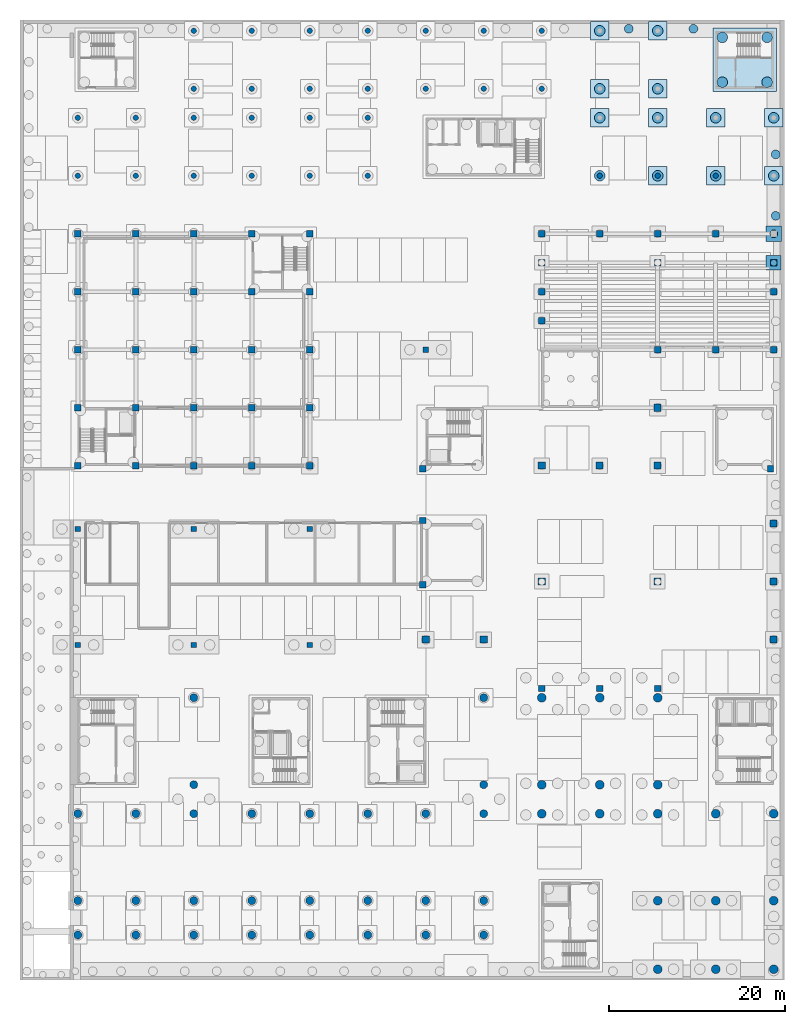
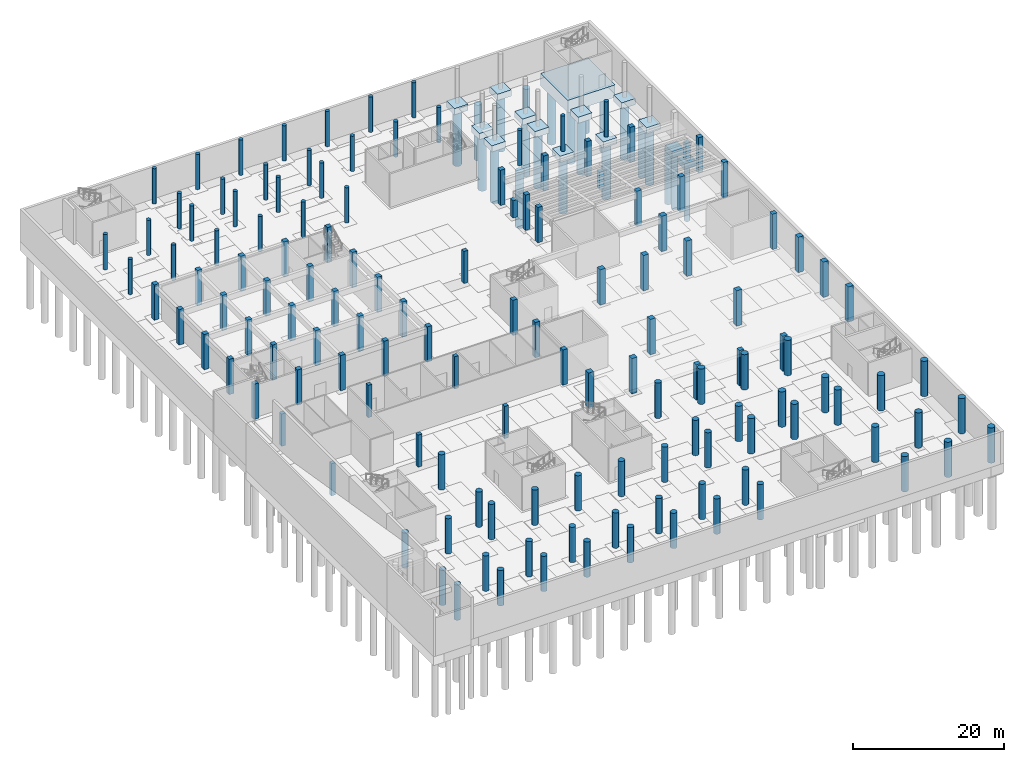
# One storey, part 5 of 38: 137 columns, 22 piles, 14 footings.
"""IFC4 building model written with IfcOpenShell, lengths in metres."""

from ifc_helpers import new_model, si_unit, direction, frame, origin, origin_2d, place, context, subcontext, project, spatial, polyline, rectangle, circle, outline, extrude, material, material_profile, profile_set, type_object, element, save


model = new_model("IFC4")

# Units and contexts
model_context = context("Model", 3, precision=1e-05, world=origin(), true_north=direction((0.0, 1.0)))
body_context = subcontext(model_context, "Body", "Model", "MODEL_VIEW")
ifc_project = project(units=[si_unit("LENGTHUNIT", "METRE"), si_unit("AREAUNIT", "SQUARE_METRE"), si_unit("VOLUMEUNIT", "CUBIC_METRE"), si_unit("PLANEANGLEUNIT", "RADIAN"), si_unit("MASSUNIT", "GRAM", prefix="KILO")], contexts=[model_context])

# Site, building, storey
site_placement = place(None, origin())
site = spatial("IfcSite", under=ifc_project, at=site_placement, CompositionType="ELEMENT")
building_placement = place(site_placement, origin())
building = spatial("IfcBuilding", under=site, at=building_placement, Name="Lantern Court Research Institute", CompositionType="ELEMENT")
storey_placement = place(building_placement, frame((0.0, 0.0, -5.699951171875)))
storey = spatial("IfcBuildingStorey", under=building, at=storey_placement, Name="B1", CompositionType="ELEMENT", Elevation=-5.699951171875)

# Piles
ifc_material_1 = material(Name="Concrete C30/37", Category="concrete")
ifc_material_profile_1 = material_profile(ifc_material_1, circle(Radius=0.5, at=origin_2d()), Name="Bored pile D1000")
ifc_profile_set_1 = profile_set([ifc_material_profile_1], Name="Concrete C30/37")
pile_type_1 = type_object("IfcPileType", Name="Bored pile D1000", PredefinedType="BORED", material=ifc_profile_set_1)
for number, where, z_axis, x_axis, name in (
    (1, (79.429931640625, 77.93798828125, -1.400146484375), (0.0, 0.0, -1.0), (1.0, 0.0, 0.0), "Bored pile P268"),
    (2, (79.429931640625, 84.93603515625, -1.400146484375), (0.0, 0.0, -1.0), (1.0, 0.0, 0.0), "Bored pile P269"),
    (3, (62.700927734375, 99.22998046875, -1.400146484375), (0.0, 0.0, -1.0), (1.0, 0.0, 0.0), "Bored pile P296"),
    (4, (70.06494140625, 99.22998046875, -1.400146484375), (0.0, 0.0, -1.0), (1.0, 0.0, 0.0), "Bored pile P297"),
):
    element("IfcPile", number, at=place(storey_placement, frame(where, z_axis=z_axis, x_axis=x_axis)), inside=storey, type_object=pile_type_1, Name=name, PredefinedType="BORED", context=body_context, shape_type="SweptSolid", body=[
        extrude(circle(Radius=0.5, at=origin_2d()), origin(), (0.0, 0.0, 1.0), 9.0),
    ])
ifc_material_2 = material(Name="Concrete C30/37", Category="concrete")
ifc_material_profile_2 = material_profile(ifc_material_2, circle(Radius=0.60009765625, at=origin_2d()), Name="Bored pile D1200")
ifc_profile_set_2 = profile_set([ifc_material_profile_2], Name="Concrete C30/37")
pile_type_2 = type_object("IfcPileType", Name="Bored pile D1200", PredefinedType="BORED", material=ifc_profile_set_2)
for number, where, z_axis, x_axis, name in (
    (5, (59.39990234375, 82.5, -0.900146484375), (0.0, 0.0, -1.0), (1.0, 0.0, 0.0), "Bored pile P188"),
    (6, (66.0, 82.5, -0.900146484375), (0.0, 0.0, -1.0), (1.0, 0.0, 0.0), "Bored pile P189"),
    (7, (72.60009765625, 82.5, -0.900146484375), (0.0, 0.0, -1.0), (1.0, 0.0, 0.0), "Bored pile P190"),
    (8, (79.199951171875, 82.5, -0.900146484375), (0.0, 0.0, -1.0), (1.0, 0.0, 0.0), "Bored pile P191"),
    (9, (59.39990234375, 89.10009765625, -0.900146484375), (0.0, 0.0, -1.0), (1.0, 0.0, 0.0), "Bored pile P206"),
    (10, (66.0, 89.10009765625, -0.900146484375), (0.0, 0.0, -1.0), (1.0, 0.0, 0.0), "Bored pile P207"),
    (11, (72.60009765625, 89.10009765625, -0.900146484375), (0.0, 0.0, -1.0), (1.0, 0.0, 0.0), "Bored pile P208"),
    (12, (79.199951171875, 89.10009765625, -0.900146484375), (0.0, 0.0, -1.0), (1.0, 0.0, 0.0), "Bored pile P209"),
    (13, (59.39990234375, 92.39990234375, -0.900146484375), (0.0, 0.0, -1.0), (1.0, 0.0, 0.0), "Bored pile P217"),
    (14, (66.0, 92.39990234375, -0.900146484375), (0.0, 0.0, -1.0), (1.0, 0.0, 0.0), "Bored pile P218"),
    (15, (73.35009765625, 93.14990234375, -1.900146484375), (0.0, 0.0, -1.0), (1.0, 0.0, 0.0), "Bored pile P223"),
    (16, (78.449951171875, 93.14990234375, -1.900146484375), (0.0, 0.0, -1.0), (1.0, 0.0, 0.0), "Bored pile P224"),
    (17, (73.35009765625, 98.25, -1.900146484375), (0.0, 0.0, -1.0), (1.0, 0.0, 0.0), "Bored pile P225"),
    (18, (78.449951171875, 98.25, -1.900146484375), (0.0, 0.0, -1.0), (1.0, 0.0, 0.0), "Bored pile P226"),
    (19, (59.39990234375, 99.0, -0.900146484375), (0.0, 0.0, -1.0), (1.0, 0.0, 0.0), "Bored pile P234"),
    (20, (66.0, 99.0, -0.900146484375), (0.0, 0.0, -1.0), (1.0, 0.0, 0.0), "Bored pile P235"),
):
    element("IfcPile", number, at=place(storey_placement, frame(where, z_axis=z_axis, x_axis=x_axis)), inside=storey, type_object=pile_type_2, Name=name, PredefinedType="BORED", context=body_context, shape_type="SweptSolid", body=[
        extrude(circle(Radius=0.60009765625, at=origin_2d()), origin(), (0.0, 0.0, 1.0), 9.0),
    ])
ifc_material_3 = material(Name="Concrete C30/37", Category="concrete")
ifc_material_profile_3 = material_profile(ifc_material_3, circle(Radius=0.375, at=origin_2d()), Name="Bored pile D750")
ifc_profile_set_3 = profile_set([ifc_material_profile_3], Name="Concrete C30/37")
pile_type_3 = type_object("IfcPileType", Name="Bored pile D750", PredefinedType="BORED", material=ifc_profile_set_3)
pile_1_placement = place(storey_placement, frame((79.199951171875, 72.60009765625, -0.900146484375), z_axis=(0.0, 0.0, -1.0), x_axis=(1.0, 0.0, 0.0)))
element("IfcPile", 21, at=pile_1_placement, inside=storey, type_object=pile_type_3, Name="Bored pile P173", PredefinedType="BORED", context=body_context, shape_type="SweptSolid", body=[
    extrude(circle(Radius=0.375, at=origin_2d()), origin(), (0.0, 0.0, 1.0), 9.0),
])
ifc_material_4 = material(Name="Concrete C30/37", Category="concrete")
ifc_material_profile_4 = material_profile(ifc_material_4, circle(Radius=0.449951171875, at=origin_2d()), Name="Bored pile D900")
ifc_profile_set_4 = profile_set([ifc_material_profile_4], Name="Concrete C30/37")
pile_type_4 = type_object("IfcPileType", Name="Bored pile D900", PredefinedType="BORED", material=ifc_profile_set_4)
pile_2_placement = place(storey_placement, frame((79.199951171875, 75.89990234375, -0.900146484375), z_axis=(0.0, 0.0, -1.0), x_axis=(1.0, 0.0, 0.0)))
element("IfcPile", 22, at=pile_2_placement, inside=storey, type_object=pile_type_4, Name="Bored pile P181", PredefinedType="BORED", context=body_context, shape_type="SweptSolid", body=[
    extrude(circle(Radius=0.449951171875, at=origin_2d()), origin(), (0.0, 0.0, 1.0), 9.0),
])

# Footings
ifc_material_5 = material(Name="Concrete C30/37", Category="concrete")
footing_type_1 = type_object("IfcFootingType", Name="Pile cap 1700 x 1700 x 1000", PredefinedType="PILE_CAP", material=ifc_material_5)
footing_1_placement = place(storey_placement, frame((0.0, 0.0, -1.0)))
element("IfcFooting", 23, at=footing_1_placement, inside=storey, type_object=footing_type_1, Name="Pile cap PC90", PredefinedType="PILE_CAP", context=body_context, shape_type="SweptSolid", body=[
    extrude(outline(polyline([(78.35009765625, 71.75), (80.050048828125, 71.75), (80.050048828125, 73.449951171875), (78.35009765625, 73.449951171875), (78.35009765625, 71.75)])), origin(), (0.0, 0.0, 1.0), 1.0),
])
ifc_material_6 = material(Name="Concrete C30/37", Category="concrete")
footing_type_2 = type_object("IfcFootingType", Name="Pile cap 1800 x 1800 x 1000", PredefinedType="PILE_CAP", material=ifc_material_6)
footing_2_placement = place(storey_placement, frame((0.0, 0.0, -1.0)))
element("IfcFooting", 24, at=footing_2_placement, inside=storey, type_object=footing_type_2, Name="Pile cap PC98", PredefinedType="PILE_CAP", context=body_context, shape_type="SweptSolid", body=[
    extrude(outline(polyline([(78.300048828125, 75.0), (80.10009765625, 75.0), (80.10009765625, 76.800048828125), (78.300048828125, 76.800048828125), (78.300048828125, 75.0)])), origin(), (0.0, 0.0, 1.0), 1.0),
])
ifc_material_7 = material(Name="Concrete C30/37", Category="concrete")
footing_type_3 = type_object("IfcFootingType", Name="Pile cap 2100 x 2100 x 1000", PredefinedType="PILE_CAP", material=ifc_material_7)
footing_3_placement = place(storey_placement, frame((0.0, 0.0, -1.0)))
element("IfcFooting", 25, at=footing_3_placement, inside=storey, type_object=footing_type_3, Name="Pile cap PC106", PredefinedType="PILE_CAP", context=body_context, shape_type="SweptSolid", body=[
    extrude(outline(polyline([(64.949951171875, 81.449951171875), (67.050048828125, 81.449951171875), (67.050048828125, 83.550048828125), (64.949951171875, 83.550048828125), (64.949951171875, 81.449951171875)])), origin(), (0.0, 0.0, 1.0), 1.0),
])
footing_4_placement = place(storey_placement, frame((0.0, 0.0, -1.0)))
element("IfcFooting", 26, at=footing_4_placement, inside=storey, type_object=footing_type_3, Name="Pile cap PC107", PredefinedType="PILE_CAP", context=body_context, shape_type="SweptSolid", body=[
    extrude(outline(polyline([(71.550048828125, 81.449951171875), (73.64990234375, 81.449951171875), (73.64990234375, 83.550048828125), (71.550048828125, 83.550048828125), (71.550048828125, 81.449951171875)])), origin(), (0.0, 0.0, 1.0), 1.0),
])
footing_5_placement = place(storey_placement, frame((0.0, 0.0, -1.0)))
element("IfcFooting", 27, at=footing_5_placement, inside=storey, type_object=footing_type_3, Name="Pile cap PC108", PredefinedType="PILE_CAP", context=body_context, shape_type="SweptSolid", body=[
    extrude(outline(polyline([(78.14990234375, 81.449951171875), (80.25, 81.449951171875), (80.25, 83.550048828125), (78.14990234375, 83.550048828125), (78.14990234375, 81.449951171875)])), origin(), (0.0, 0.0, 1.0), 1.0),
])
footing_6_placement = place(storey_placement, frame((0.0, 0.0, -1.0)))
element("IfcFooting", 28, at=footing_6_placement, inside=storey, type_object=footing_type_3, Name="Pile cap PC116", PredefinedType="PILE_CAP", context=body_context, shape_type="SweptSolid", body=[
    extrude(outline(polyline([(58.35009765625, 88.050048828125), (60.449951171875, 88.050048828125), (60.449951171875, 90.14990234375), (58.35009765625, 90.14990234375), (58.35009765625, 88.050048828125)])), origin(), (0.0, 0.0, 1.0), 1.0),
])
footing_7_placement = place(storey_placement, frame((0.0, 0.0, -1.0)))
element("IfcFooting", 29, at=footing_7_placement, inside=storey, type_object=footing_type_3, Name="Pile cap PC117", PredefinedType="PILE_CAP", context=body_context, shape_type="SweptSolid", body=[
    extrude(outline(polyline([(64.949951171875, 88.050048828125), (67.050048828125, 88.050048828125), (67.050048828125, 90.14990234375), (64.949951171875, 90.14990234375), (64.949951171875, 88.050048828125)])), origin(), (0.0, 0.0, 1.0), 1.0),
])
footing_8_placement = place(storey_placement, frame((0.0, 0.0, -1.0)))
element("IfcFooting", 30, at=footing_8_placement, inside=storey, type_object=footing_type_3, Name="Pile cap PC118", PredefinedType="PILE_CAP", context=body_context, shape_type="SweptSolid", body=[
    extrude(outline(polyline([(71.550048828125, 88.050048828125), (73.64990234375, 88.050048828125), (73.64990234375, 90.14990234375), (71.550048828125, 90.14990234375), (71.550048828125, 88.050048828125)])), origin(), (0.0, 0.0, 1.0), 1.0),
])
footing_9_placement = place(storey_placement, frame((0.0, 0.0, -1.0)))
element("IfcFooting", 31, at=footing_9_placement, inside=storey, type_object=footing_type_3, Name="Pile cap PC119", PredefinedType="PILE_CAP", context=body_context, shape_type="SweptSolid", body=[
    extrude(outline(polyline([(78.14990234375, 88.050048828125), (80.25, 88.050048828125), (80.25, 90.14990234375), (78.14990234375, 90.14990234375), (78.14990234375, 88.050048828125)])), origin(), (0.0, 0.0, 1.0), 1.0),
])
footing_10_placement = place(storey_placement, frame((0.0, 0.0, -1.0)))
element("IfcFooting", 32, at=footing_10_placement, inside=storey, type_object=footing_type_3, Name="Pile cap PC127", PredefinedType="PILE_CAP", context=body_context, shape_type="SweptSolid", body=[
    extrude(outline(polyline([(58.35009765625, 91.35009765625), (60.449951171875, 91.35009765625), (60.449951171875, 93.449951171875), (58.35009765625, 93.449951171875), (58.35009765625, 91.35009765625)])), origin(), (0.0, 0.0, 1.0), 1.0),
])
footing_11_placement = place(storey_placement, frame((0.0, 0.0, -1.0)))
element("IfcFooting", 33, at=footing_11_placement, inside=storey, type_object=footing_type_3, Name="Pile cap PC128", PredefinedType="PILE_CAP", context=body_context, shape_type="SweptSolid", body=[
    extrude(outline(polyline([(64.949951171875, 91.35009765625), (67.050048828125, 91.35009765625), (67.050048828125, 93.449951171875), (64.949951171875, 93.449951171875), (64.949951171875, 91.35009765625)])), origin(), (0.0, 0.0, 1.0), 1.0),
])
footing_12_placement = place(storey_placement, frame((0.0, 0.0, -1.0)))
element("IfcFooting", 34, at=footing_12_placement, inside=storey, type_object=footing_type_3, Name="Pile cap PC138", PredefinedType="PILE_CAP", context=body_context, shape_type="SweptSolid", body=[
    extrude(outline(polyline([(58.35009765625, 97.949951171875), (60.449951171875, 97.949951171875), (60.449951171875, 100.050048828125), (58.35009765625, 100.050048828125), (58.35009765625, 97.949951171875)])), origin(), (0.0, 0.0, 1.0), 1.0),
])
footing_13_placement = place(storey_placement, frame((0.0, 0.0, -1.0)))
element("IfcFooting", 35, at=footing_13_placement, inside=storey, type_object=footing_type_3, Name="Pile cap PC139", PredefinedType="PILE_CAP", context=body_context, shape_type="SweptSolid", body=[
    extrude(outline(polyline([(64.949951171875, 97.949951171875), (67.050048828125, 97.949951171875), (67.050048828125, 100.050048828125), (64.949951171875, 100.050048828125), (64.949951171875, 97.949951171875)])), origin(), (0.0, 0.0, 1.0), 1.0),
])
ifc_material_8 = material(Name="Concrete C30/37", Category="concrete")
footing_type_4 = type_object("IfcFootingType", Name="Pile cap 7200 x 7200 x 2000", PredefinedType="PILE_CAP", material=ifc_material_8)
footing_14_placement = place(storey_placement, frame((0.0, 0.0, -2.0)))
element("IfcFooting", 36, at=footing_14_placement, inside=storey, type_object=footing_type_4, Name="Pile cap PC130", PredefinedType="PILE_CAP", context=body_context, shape_type="SweptSolid", body=[
    extrude(outline(polyline([(72.300048828125, 92.10009765625), (79.5, 92.10009765625), (79.5, 99.300048828125), (72.300048828125, 99.300048828125), (72.300048828125, 92.10009765625)])), origin(), (0.0, 0.0, 1.0), 2.0),
])

# Columns
ifc_material_9 = material(Name="Concrete C40/50", Category="concrete")
ifc_material_profile_5 = material_profile(ifc_material_9, rectangle(XDim=0.60009765625, YDim=0.60009765625, at=origin_2d()), Name="Basement column 600 x 600")
ifc_profile_set_5 = profile_set([ifc_material_profile_5], Name="Concrete C40/50")
column_type_1 = type_object("IfcColumnType", Name="Basement column 600 x 600", PredefinedType="COLUMN", material=ifc_profile_set_5)
for number, where, z_axis, x_axis, name in (
    (37, (0.0, 29.10009765625, 0.0), (0.0, 0.0, 1.0), (1.0, 0.0, 0.0), "Basement column 1"),
    (38, (0.0, 42.300048828125, 0.0), (0.0, 0.0, 1.0), (1.0, 0.0, 0.0), "Basement column 2"),
    (39, (13.199951171875, 29.10009765625, 0.0), (0.0, 0.0, 1.0), (1.0, 0.0, 0.0), "Basement column 3"),
    (40, (13.199951171875, 42.300048828125, 0.0), (0.0, 0.0, 1.0), (1.0, 0.0, 0.0), "Basement column 4"),
    (41, (26.39990234375, 29.10009765625, 0.0), (0.0, 0.0, 1.0), (1.0, 0.0, 0.0), "Basement column 5"),
    (42, (26.39990234375, 42.300048828125, 0.0), (0.0, 0.0, 1.0), (1.0, 0.0, 0.0), "Basement column 6"),
    (43, (39.60009765625, 62.699951171875, 0.0), (0.0, 0.0, 1.0), (1.0, 0.0, 0.0), "Basement column 7"),
):
    element("IfcColumn", number, at=place(storey_placement, frame(where, z_axis=z_axis, x_axis=x_axis)), inside=storey, type_object=column_type_1, Name=name, PredefinedType="COLUMN", context=body_context, shape_type="SweptSolid", body=[
        extrude(rectangle(XDim=0.60009765625, YDim=0.60009765625, at=origin_2d()), origin(), (0.0, 0.0, 1.0), 5.199951171875),
    ])
ifc_material_10 = material(Name="Concrete C40/50", Category="concrete")
ifc_material_profile_6 = material_profile(ifc_material_10, rectangle(XDim=0.699951171875, YDim=0.699951171875, at=origin_2d()), Name="Clean room column 700 x 700")
ifc_profile_set_6 = profile_set([ifc_material_profile_6], Name="Concrete C40/50")
column_type_2 = type_object("IfcColumnType", Name="Clean room column 700 x 700", PredefinedType="COLUMN", material=ifc_profile_set_6)
for number, where, z_axis, x_axis, name in (
    (44, (0.0, 49.5, 0.0), (0.0, 0.0, 1.0), (1.0, 0.0, 0.0), "Clean room column"),
    (45, (0.0, 56.10009765625, 0.0), (0.0, 0.0, 1.0), (1.0, 0.0, 0.0), "Clean room column"),
    (46, (0.0, 62.699951171875, 0.0), (0.0, 0.0, 1.0), (1.0, 0.0, 0.0), "Clean room column"),
    (47, (0.0, 69.300048828125, 0.0), (0.0, 0.0, 1.0), (1.0, 0.0, 0.0), "Clean room column"),
    (48, (0.0, 75.89990234375, 0.0), (0.0, 0.0, 1.0), (1.0, 0.0, 0.0), "Clean room column"),
    (49, (6.60009765625, 49.5, 0.0), (0.0, 0.0, 1.0), (1.0, 0.0, 0.0), "Clean room column"),
    (50, (6.60009765625, 56.10009765625, 0.0), (0.0, 0.0, 1.0), (1.0, 0.0, 0.0), "Clean room column"),
    (51, (6.60009765625, 62.699951171875, 0.0), (0.0, 0.0, 1.0), (1.0, 0.0, 0.0), "Clean room column"),
    (52, (6.60009765625, 69.300048828125, 0.0), (0.0, 0.0, 1.0), (1.0, 0.0, 0.0), "Clean room column"),
    (53, (6.60009765625, 75.89990234375, 0.0), (0.0, 0.0, 1.0), (1.0, 0.0, 0.0), "Clean room column"),
    (54, (13.199951171875, 49.5, 0.0), (0.0, 0.0, 1.0), (1.0, 0.0, 0.0), "Clean room column"),
    (55, (13.199951171875, 56.10009765625, 0.0), (0.0, 0.0, 1.0), (1.0, 0.0, 0.0), "Clean room column"),
    (56, (13.199951171875, 62.699951171875, 0.0), (0.0, 0.0, 1.0), (1.0, 0.0, 0.0), "Clean room column"),
    (57, (13.199951171875, 69.300048828125, 0.0), (0.0, 0.0, 1.0), (1.0, 0.0, 0.0), "Clean room column"),
    (58, (13.199951171875, 75.89990234375, 0.0), (0.0, 0.0, 1.0), (1.0, 0.0, 0.0), "Clean room column"),
    (59, (19.800048828125, 49.5, 0.0), (0.0, 0.0, 1.0), (1.0, 0.0, 0.0), "Clean room column"),
    (60, (19.800048828125, 56.10009765625, 0.0), (0.0, 0.0, 1.0), (1.0, 0.0, 0.0), "Clean room column"),
    (61, (19.800048828125, 62.699951171875, 0.0), (0.0, 0.0, 1.0), (1.0, 0.0, 0.0), "Clean room column"),
    (62, (19.800048828125, 69.300048828125, 0.0), (0.0, 0.0, 1.0), (1.0, 0.0, 0.0), "Clean room column"),
    (63, (19.800048828125, 75.89990234375, 0.0), (0.0, 0.0, 1.0), (1.0, 0.0, 0.0), "Clean room column"),
    (64, (26.39990234375, 49.5, 0.0), (0.0, 0.0, 1.0), (1.0, 0.0, 0.0), "Clean room column"),
    (65, (26.39990234375, 56.10009765625, 0.0), (0.0, 0.0, 1.0), (1.0, 0.0, 0.0), "Clean room column"),
    (66, (26.39990234375, 62.699951171875, 0.0), (0.0, 0.0, 1.0), (1.0, 0.0, 0.0), "Clean room column"),
    (67, (26.39990234375, 69.300048828125, 0.0), (0.0, 0.0, 1.0), (1.0, 0.0, 0.0), "Clean room column"),
    (68, (26.39990234375, 75.89990234375, 0.0), (0.0, 0.0, 1.0), (1.0, 0.0, 0.0), "Clean room column"),
):
    element("IfcColumn", number, at=place(storey_placement, frame(where, z_axis=z_axis, x_axis=x_axis)), inside=storey, type_object=column_type_2, Name=name, PredefinedType="COLUMN", context=body_context, shape_type="SweptSolid", body=[
        extrude(rectangle(XDim=0.699951171875, YDim=0.699951171875, at=origin_2d()), origin(), (0.0, 0.0, 1.0), 5.699951171875),
    ])
ifc_material_11 = material(Name="Concrete C40/50", Category="concrete")
ifc_material_profile_7 = material_profile(ifc_material_11, rectangle(XDim=0.699951171875, YDim=0.699951171875, at=origin_2d()), Name="Hall column 700 x 700")
ifc_profile_set_7 = profile_set([ifc_material_profile_7], Name="Concrete C40/50")
column_type_3 = type_object("IfcColumnType", Name="Hall column 700 x 700", PredefinedType="COLUMN", material=ifc_profile_set_7)
for number, where, z_axis, x_axis, name in (
    (69, (52.800048828125, 24.14990234375, 0.0), (0.0, 0.0, 1.0), (1.0, 0.0, 0.0), "Hall column"),
    (70, (59.39990234375, 24.14990234375, 0.0), (0.0, 0.0, 1.0), (1.0, 0.0, 0.0), "Hall column"),
    (71, (66.0, 24.14990234375, 0.0), (0.0, 0.0, 1.0), (1.0, 0.0, 0.0), "Hall column"),
    (72, (39.25, 35.949951171875, 0.0), (0.0, 0.0, 1.0), (1.0, 0.0, 0.0), "Hall column"),
    (73, (39.25, 43.25, 0.0), (0.0, 0.0, 1.0), (1.0, 0.0, 0.0), "Hall column"),
    (74, (39.25, 49.14990234375, 0.0), (0.0, 0.0, 1.0), (1.0, 0.0, 0.0), "Hall column"),
    (75, (78.85009765625, 49.14990234375, 0.0), (0.0, 0.0, 1.0), (1.0, 0.0, 0.0), "Hall column"),
    (76, (52.800048828125, 69.300048828125, 0.0), (0.0, 0.0, 1.0), (1.0, 0.0, 0.0), "Hall column"),
    (77, (52.800048828125, 75.89990234375, 0.0), (0.0, 0.0, 1.0), (1.0, 0.0, 0.0), "Hall column"),
    (78, (79.199951171875, 62.699951171875, 0.0), (0.0, 0.0, 1.0), (1.0, 0.0, 0.0), "Hall column"),
    (79, (79.199951171875, 69.300048828125, 0.0), (0.0, 0.0, 1.0), (1.0, 0.0, 0.0), "Hall column"),
    (80, (59.39990234375, 75.89990234375, 0.0), (0.0, 0.0, 1.0), (1.0, 0.0, 0.0), "Hall column"),
    (81, (66.0, 75.89990234375, 0.0), (0.0, 0.0, 1.0), (1.0, 0.0, 0.0), "Hall column"),
    (82, (72.60009765625, 75.89990234375, 0.0), (0.0, 0.0, 1.0), (1.0, 0.0, 0.0), "Hall column"),
    (83, (66.0, 62.699951171875, 0.0), (0.0, 0.0, 1.0), (1.0, 0.0, 0.0), "Hall column"),
    (84, (72.60009765625, 62.699951171875, 0.0), (0.0, 0.0, 1.0), (1.0, 0.0, 0.0), "Hall column"),
    (85, (52.800048828125, 66.0, 0.0), (0.0, 0.0, 1.0), (1.0, 0.0, 0.0), "Hall column"),
):
    element("IfcColumn", number, at=place(storey_placement, frame(where, z_axis=z_axis, x_axis=x_axis)), inside=storey, type_object=column_type_3, Name=name, PredefinedType="COLUMN", context=body_context, shape_type="SweptSolid", body=[
        extrude(rectangle(XDim=0.699951171875, YDim=0.699951171875, at=origin_2d()), origin(), (0.0, 0.0, 1.0), 5.699951171875),
    ])
for number, where, z_axis, x_axis, name in (
    (86, (52.800048828125, 72.60009765625, 0.0), (0.0, 0.0, 1.0), (1.0, 0.0, 0.0), "Hall column"),
    (87, (66.0, 72.60009765625, 0.0), (0.0, 0.0, 1.0), (1.0, 0.0, 0.0), "Hall column"),
    (88, (79.199951171875, 72.60009765625, 0.0), (0.0, 0.0, 1.0), (1.0, 0.0, 0.0), "Hall column"),
):
    element("IfcColumn", number, at=place(storey_placement, frame(where, z_axis=z_axis, x_axis=x_axis)), inside=storey, type_object=column_type_3, Name=name, PredefinedType="COLUMN", context=body_context, shape_type="SweptSolid", body=[
        extrude(rectangle(XDim=0.699951171875, YDim=0.699951171875, at=origin_2d()), origin(), (0.0, 0.0, 1.0), 2.7900390625),
    ])
ifc_material_12 = material(Name="Concrete C40/50", Category="concrete")
ifc_material_profile_8 = material_profile(ifc_material_12, rectangle(XDim=0.800048828125, YDim=0.800048828125, at=origin_2d()), Name="Hall column 800 x 800")
ifc_profile_set_8 = profile_set([ifc_material_profile_8], Name="Concrete C40/50")
column_type_4 = type_object("IfcColumnType", Name="Hall column 800 x 800", PredefinedType="COLUMN", material=ifc_profile_set_8)
for number, where, z_axis, x_axis, name in (
    (89, (39.60009765625, 29.699951171875, 0.0), (0.0, 0.0, 1.0), (1.0, 0.0, 0.0), "Hall column"),
    (90, (79.199951171875, 29.699951171875, 0.0), (0.0, 0.0, 1.0), (1.0, 0.0, 0.0), "Hall column"),
    (91, (79.199951171875, 36.300048828125, 0.0), (0.0, 0.0, 1.0), (1.0, 0.0, 0.0), "Hall column"),
    (92, (79.199951171875, 42.89990234375, 0.0), (0.0, 0.0, 1.0), (1.0, 0.0, 0.0), "Hall column"),
    (93, (66.0, 56.10009765625, 0.0), (0.0, 0.0, 1.0), (1.0, 0.0, 0.0), "Hall column"),
    (94, (46.199951171875, 29.699951171875, 0.0), (0.0, 0.0, 1.0), (1.0, 0.0, 0.0), "Hall column"),
    (95, (52.800048828125, 49.5, 0.0), (0.0, 0.0, 1.0), (1.0, 0.0, 0.0), "Hall column"),
    (96, (59.39990234375, 49.5, 0.0), (0.0, 0.0, 1.0), (1.0, 0.0, 0.0), "Hall column"),
    (97, (66.0, 49.5, 0.0), (0.0, 0.0, 1.0), (1.0, 0.0, 0.0), "Hall column"),
    (98, (52.800048828125, 36.300048828125, 0.0), (0.0, 0.0, 1.0), (1.0, 0.0, 0.0), "Hall column"),
    (99, (66.0, 36.300048828125, 0.0), (0.0, 0.0, 1.0), (1.0, 0.0, 0.0), "Hall column"),
):
    element("IfcColumn", number, at=place(storey_placement, frame(where, z_axis=z_axis, x_axis=x_axis)), inside=storey, type_object=column_type_4, Name=name, PredefinedType="COLUMN", context=body_context, shape_type="SweptSolid", body=[
        extrude(rectangle(XDim=0.800048828125, YDim=0.800048828125, at=origin_2d()), origin(), (0.0, 0.0, 1.0), 5.699951171875),
    ])
ifc_material_13 = material(Name="Concrete C40/50", Category="concrete")
ifc_material_profile_9 = material_profile(ifc_material_13, circle(Radius=0.5, at=origin_2d()), Name="RC round column 1000")
ifc_profile_set_9 = profile_set([ifc_material_profile_9], Name="Concrete C40/50")
column_type_5 = type_object("IfcColumnType", Name="RC round column 1000", PredefinedType="COLUMN", material=ifc_profile_set_9)
for number, where, z_axis, x_axis, name in (
    (100, (52.800048828125, 9.89990234375, 0.0), (0.0, 0.0, 1.0), (1.0, 0.0, 0.0), "Column B1 grid 9/B"),
    (101, (52.800048828125, 13.199951171875, 0.0), (0.0, 0.0, 1.0), (1.0, 0.0, 0.0), "Column B1 grid 9/C"),
    (102, (52.800048828125, 23.10009765625, 0.0), (0.0, 0.0, 1.0), (1.0, 0.0, 0.0), "Column B1 grid 9/D"),
    (103, (59.39990234375, 9.89990234375, 0.0), (0.0, 0.0, 1.0), (1.0, 0.0, 0.0), "Column B1 grid 10/B"),
    (104, (59.39990234375, 13.199951171875, 0.0), (0.0, 0.0, 1.0), (1.0, 0.0, 0.0), "Column B1 grid 10/C"),
    (105, (59.39990234375, 23.10009765625, 0.0), (0.0, 0.0, 1.0), (1.0, 0.0, 0.0), "Column B1 grid 10/D"),
    (106, (66.0, -7.800048828125, 0.0), (0.0, 0.0, 1.0), (1.0, 0.0, 0.0), "Column B1 grid 11/Z"),
    (107, (66.0, 0.0, 0.0), (0.0, 0.0, 1.0), (1.0, 0.0, 0.0), "Column B1 grid 11/A"),
    (108, (66.0, 9.89990234375, 0.0), (0.0, 0.0, 1.0), (1.0, 0.0, 0.0), "Column B1 grid 11/B"),
    (109, (66.0, 13.199951171875, 0.0), (0.0, 0.0, 1.0), (1.0, 0.0, 0.0), "Column B1 grid 11/C"),
    (110, (66.0, 23.10009765625, 0.0), (0.0, 0.0, 1.0), (1.0, 0.0, 0.0), "Column B1 grid 11/D"),
    (111, (72.60009765625, -7.800048828125, 0.0), (0.0, 0.0, 1.0), (1.0, 0.0, 0.0), "Column B1 grid 12/Z"),
    (112, (72.60009765625, 0.0, 0.0), (0.0, 0.0, 1.0), (1.0, 0.0, 0.0), "Column B1 grid 12/A"),
    (113, (72.60009765625, 9.89990234375, 0.0), (0.0, 0.0, 1.0), (1.0, 0.0, 0.0), "Column B1 grid 12/B"),
    (114, (79.199951171875, -7.800048828125, 0.0), (0.0, 0.0, 1.0), (1.0, 0.0, 0.0), "Column B1 grid 13/Z"),
    (115, (79.199951171875, 0.0, 0.0), (0.0, 0.0, 1.0), (1.0, 0.0, 0.0), "Column B1 grid 13/A"),
    (116, (79.199951171875, 9.89990234375, 0.0), (0.0, 0.0, 1.0), (1.0, 0.0, 0.0), "Column B1 grid 13/B"),
):
    element("IfcColumn", number, at=place(storey_placement, frame(where, z_axis=z_axis, x_axis=x_axis)), inside=storey, type_object=column_type_5, Name=name, PredefinedType="COLUMN", context=body_context, shape_type="SweptSolid", body=[
        extrude(circle(Radius=0.5, at=origin_2d()), origin(), (0.0, 0.0, 1.0), 5.699951171875),
    ])
ifc_material_14 = material(Name="Concrete C40/50", Category="concrete")
ifc_material_profile_10 = material_profile(ifc_material_14, circle(Radius=0.300048828125, at=origin_2d()), Name="RC round column 600")
ifc_profile_set_10 = profile_set([ifc_material_profile_10], Name="Concrete C40/50")
column_type_6 = type_object("IfcColumnType", Name="RC round column 600", PredefinedType="COLUMN", material=ifc_profile_set_10)
for number, where, z_axis, x_axis, name in (
    (117, (0.0, 82.5, 0.0), (0.0, 0.0, 1.0), (1.0, 0.0, 0.0), "Column B1 grid 1/J"),
    (118, (0.0, 89.10009765625, 0.0), (0.0, 0.0, 1.0), (1.0, 0.0, 0.0), "Column B1 grid 1/K"),
    (119, (6.60009765625, 82.5, 0.0), (0.0, 0.0, 1.0), (1.0, 0.0, 0.0), "Column B1 grid 2/J"),
    (120, (6.60009765625, 89.10009765625, 0.0), (0.0, 0.0, 1.0), (1.0, 0.0, 0.0), "Column B1 grid 2/K"),
    (121, (13.199951171875, 82.5, 0.0), (0.0, 0.0, 1.0), (1.0, 0.0, 0.0), "Column B1 grid 3/J"),
    (122, (13.199951171875, 89.10009765625, 0.0), (0.0, 0.0, 1.0), (1.0, 0.0, 0.0), "Column B1 grid 3/K"),
    (123, (13.199951171875, 92.39990234375, 0.0), (0.0, 0.0, 1.0), (1.0, 0.0, 0.0), "Column B1 grid 3/L"),
    (124, (13.199951171875, 99.0, 0.0), (0.0, 0.0, 1.0), (1.0, 0.0, 0.0), "Column B1 grid 3/M"),
    (125, (19.800048828125, 82.5, 0.0), (0.0, 0.0, 1.0), (1.0, 0.0, 0.0), "Column B1 grid 4/J"),
    (126, (19.800048828125, 89.10009765625, 0.0), (0.0, 0.0, 1.0), (1.0, 0.0, 0.0), "Column B1 grid 4/K"),
    (127, (19.800048828125, 92.39990234375, 0.0), (0.0, 0.0, 1.0), (1.0, 0.0, 0.0), "Column B1 grid 4/L"),
    (128, (19.800048828125, 99.0, 0.0), (0.0, 0.0, 1.0), (1.0, 0.0, 0.0), "Column B1 grid 4/M"),
    (129, (26.39990234375, 82.5, 0.0), (0.0, 0.0, 1.0), (1.0, 0.0, 0.0), "Column B1 grid 5/J"),
    (130, (26.39990234375, 89.10009765625, 0.0), (0.0, 0.0, 1.0), (1.0, 0.0, 0.0), "Column B1 grid 5/K"),
    (131, (26.39990234375, 92.39990234375, 0.0), (0.0, 0.0, 1.0), (1.0, 0.0, 0.0), "Column B1 grid 5/L"),
    (132, (26.39990234375, 99.0, 0.0), (0.0, 0.0, 1.0), (1.0, 0.0, 0.0), "Column B1 grid 5/M"),
    (133, (33.0, 82.5, 0.0), (0.0, 0.0, 1.0), (1.0, 0.0, 0.0), "Column B1 grid 6/J"),
    (134, (33.0, 89.10009765625, 0.0), (0.0, 0.0, 1.0), (1.0, 0.0, 0.0), "Column B1 grid 6/K"),
    (135, (33.0, 92.39990234375, 0.0), (0.0, 0.0, 1.0), (1.0, 0.0, 0.0), "Column B1 grid 6/L"),
    (136, (33.0, 99.0, 0.0), (0.0, 0.0, 1.0), (1.0, 0.0, 0.0), "Column B1 grid 6/M"),
    (137, (39.60009765625, 92.39990234375, 0.0), (0.0, 0.0, 1.0), (1.0, 0.0, 0.0), "Column B1 grid 7/L"),
    (138, (39.60009765625, 99.0, 0.0), (0.0, 0.0, 1.0), (1.0, 0.0, 0.0), "Column B1 grid 7/M"),
    (139, (46.199951171875, 92.39990234375, 0.0), (0.0, 0.0, 1.0), (1.0, 0.0, 0.0), "Column B1 grid 8/L"),
    (140, (46.199951171875, 99.0, 0.0), (0.0, 0.0, 1.0), (1.0, 0.0, 0.0), "Column B1 grid 8/M"),
    (141, (52.800048828125, 92.39990234375, 0.0), (0.0, 0.0, 1.0), (1.0, 0.0, 0.0), "Column B1 grid 9/L"),
    (142, (52.800048828125, 99.0, 0.0), (0.0, 0.0, 1.0), (1.0, 0.0, 0.0), "Column B1 grid 9/M"),
    (143, (59.39990234375, 82.5, 0.0), (0.0, 0.0, 1.0), (1.0, 0.0, 0.0), "Column B1 grid 10/J"),
    (144, (66.0, 82.5, 0.0), (0.0, 0.0, 1.0), (1.0, 0.0, 0.0), "Column B1 grid 11/J"),
    (145, (72.60009765625, 82.5, 0.0), (0.0, 0.0, 1.0), (1.0, 0.0, 0.0), "Column B1 grid 12/J"),
):
    element("IfcColumn", number, at=place(storey_placement, frame(where, z_axis=z_axis, x_axis=x_axis)), inside=storey, type_object=column_type_6, Name=name, PredefinedType="COLUMN", context=body_context, shape_type="SweptSolid", body=[
        extrude(circle(Radius=0.300048828125, at=origin_2d()), origin(), (0.0, 0.0, 1.0), 5.699951171875),
    ])
ifc_material_15 = material(Name="Concrete C40/50", Category="concrete")
ifc_material_profile_11 = material_profile(ifc_material_15, circle(Radius=0.449951171875, at=origin_2d()), Name="RC round column 900")
ifc_profile_set_11 = profile_set([ifc_material_profile_11], Name="Concrete C40/50")
column_type_7 = type_object("IfcColumnType", Name="RC round column 900", PredefinedType="COLUMN", material=ifc_profile_set_11)
for number, where, z_axis, x_axis, name in (
    (146, (0.0, 0.0, 0.0), (0.0, 0.0, 1.0), (1.0, 0.0, 0.0), "Column B1 grid 1/A"),
    (147, (0.0, 9.89990234375, 0.0), (0.0, 0.0, 1.0), (1.0, 0.0, 0.0), "Column B1 grid 1/B"),
    (148, (6.60009765625, 0.0, 0.0), (0.0, 0.0, 1.0), (1.0, 0.0, 0.0), "Column B1 grid 2/A"),
    (149, (6.60009765625, 9.89990234375, 0.0), (0.0, 0.0, 1.0), (1.0, 0.0, 0.0), "Column B1 grid 2/B"),
    (150, (13.199951171875, 0.0, 0.0), (0.0, 0.0, 1.0), (1.0, 0.0, 0.0), "Column B1 grid 3/A"),
    (151, (13.199951171875, 9.89990234375, 0.0), (0.0, 0.0, 1.0), (1.0, 0.0, 0.0), "Column B1 grid 3/B"),
    (152, (13.199951171875, 13.199951171875, 0.0), (0.0, 0.0, 1.0), (1.0, 0.0, 0.0), "Column B1 grid 3/C"),
    (153, (13.199951171875, 23.10009765625, 0.0), (0.0, 0.0, 1.0), (1.0, 0.0, 0.0), "Column B1 grid 3/D"),
    (154, (19.800048828125, 0.0, 0.0), (0.0, 0.0, 1.0), (1.0, 0.0, 0.0), "Column B1 grid 4/A"),
    (155, (19.800048828125, 9.89990234375, 0.0), (0.0, 0.0, 1.0), (1.0, 0.0, 0.0), "Column B1 grid 4/B"),
    (156, (26.39990234375, 0.0, 0.0), (0.0, 0.0, 1.0), (1.0, 0.0, 0.0), "Column B1 grid 5/A"),
    (157, (26.39990234375, 9.89990234375, 0.0), (0.0, 0.0, 1.0), (1.0, 0.0, 0.0), "Column B1 grid 5/B"),
    (158, (33.0, 0.0, 0.0), (0.0, 0.0, 1.0), (1.0, 0.0, 0.0), "Column B1 grid 6/A"),
    (159, (33.0, 9.89990234375, 0.0), (0.0, 0.0, 1.0), (1.0, 0.0, 0.0), "Column B1 grid 6/B"),
    (160, (39.60009765625, 0.0, 0.0), (0.0, 0.0, 1.0), (1.0, 0.0, 0.0), "Column B1 grid 7/A"),
    (161, (39.60009765625, 9.89990234375, 0.0), (0.0, 0.0, 1.0), (1.0, 0.0, 0.0), "Column B1 grid 7/B"),
    (162, (46.199951171875, 0.0, 0.0), (0.0, 0.0, 1.0), (1.0, 0.0, 0.0), "Column B1 grid 8/A"),
    (163, (46.199951171875, 9.89990234375, 0.0), (0.0, 0.0, 1.0), (1.0, 0.0, 0.0), "Column B1 grid 8/B"),
    (164, (46.199951171875, 13.199951171875, 0.0), (0.0, 0.0, 1.0), (1.0, 0.0, 0.0), "Column B1 grid 8/C"),
    (165, (46.199951171875, 23.10009765625, 0.0), (0.0, 0.0, 1.0), (1.0, 0.0, 0.0), "Column B1 grid 8/D"),
    (166, (0.0, -3.89990234375, 0.0), (0.0, 0.0, 1.0), (1.0, 0.0, 0.0), "Column B1 grid 1/Y"),
    (167, (6.60009765625, -3.89990234375, 0.0), (0.0, 0.0, 1.0), (1.0, 0.0, 0.0), "Column B1 grid 2/Y"),
    (168, (13.199951171875, -3.89990234375, 0.0), (0.0, 0.0, 1.0), (1.0, 0.0, 0.0), "Column B1 grid 3/Y"),
    (169, (19.800048828125, -3.89990234375, 0.0), (0.0, 0.0, 1.0), (1.0, 0.0, 0.0), "Column B1 grid 4/Y"),
    (170, (26.39990234375, -3.89990234375, 0.0), (0.0, 0.0, 1.0), (1.0, 0.0, 0.0), "Column B1 grid 5/Y"),
    (171, (33.0, -3.89990234375, 0.0), (0.0, 0.0, 1.0), (1.0, 0.0, 0.0), "Column B1 grid 6/Y"),
    (172, (39.60009765625, -3.89990234375, 0.0), (0.0, 0.0, 1.0), (1.0, 0.0, 0.0), "Column B1 grid 7/Y"),
    (173, (46.199951171875, -3.89990234375, 0.0), (0.0, 0.0, 1.0), (1.0, 0.0, 0.0), "Column B1 grid 8/Y"),
):
    element("IfcColumn", number, at=place(storey_placement, frame(where, z_axis=z_axis, x_axis=x_axis)), inside=storey, type_object=column_type_7, Name=name, PredefinedType="COLUMN", context=body_context, shape_type="SweptSolid", body=[
        extrude(circle(Radius=0.449951171875, at=origin_2d()), origin(), (0.0, 0.0, 1.0), 5.699951171875),
    ])

save(model, "model.ifc")
